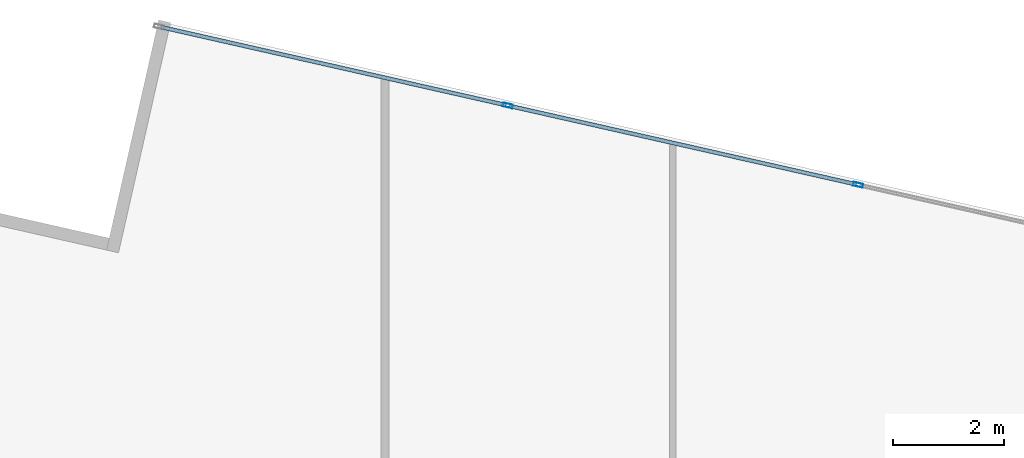
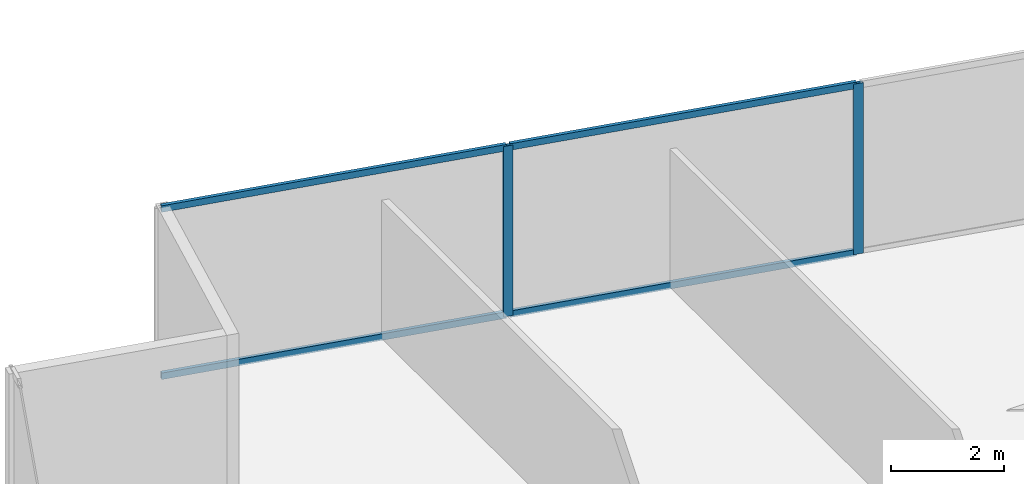
# One storey, part 18 of 26: 6 members, 1 element without a shape of its own.
"""IFC4 building model written with IfcOpenShell, lengths in metres."""

from ifc_helpers import new_model, si_unit, direction, frame, origin, origin_2d, place, context, subcontext, project, spatial, hollow_rectangle, extrude, source, transform, mapped, material, material_profile, profile_set, type_object, type_shapes, element, aggregate, save


model = new_model("IFC4")

# Units and contexts
model_context = context("Model", 3, precision=1e-05, world=origin(), true_north=direction((0.0, 1.0)))
body_context = subcontext(model_context, "Body", "Model", "MODEL_VIEW")
ifc_project = project(units=[si_unit("LENGTHUNIT", "METRE"), si_unit("AREAUNIT", "SQUARE_METRE"), si_unit("VOLUMEUNIT", "CUBIC_METRE"), si_unit("PLANEANGLEUNIT", "RADIAN"), si_unit("MASSUNIT", "GRAM", prefix="KILO")], contexts=[model_context])

# Site, building, storey
site_placement = place(None, origin())
site = spatial("IfcSite", under=ifc_project, at=site_placement, CompositionType="ELEMENT")
building_placement = place(site_placement, origin())
building = spatial("IfcBuilding", under=site, at=building_placement, Name="Krantzveldt Concourse Tower", CompositionType="ELEMENT")
storey_placement = place(building_placement, frame((0.0, 0.0, 90.050048828125)))
storey = spatial("IfcBuildingStorey", under=building, at=storey_placement, Name="L21", CompositionType="ELEMENT", Elevation=90.050048828125)

# Curtain wall, members
ifc_material = material(Name="Anodised aluminium 6063-T6", Category="aluminium")
curtain_wall_type = type_object("IfcCurtainWallType", Name="CW2", PredefinedType="USERDEFINED", material=ifc_material)
curtain_wall_placement = place(storey_placement, origin())
curtain_wall = element("IfcCurtainWall", 1, at=curtain_wall_placement, inside=storey, type_object=curtain_wall_type, Name="CW-L21-F10", ObjectType="UNITISED CURTAIN WALL", PredefinedType="USERDEFINED")
ifc_material_profile_1 = material_profile(ifc_material, hollow_rectangle(XDim=0.070068359375, YDim=0.179931640625, WallThickness=0.0048828125, at=origin_2d()), Name="Anodised aluminium 6063-T6", Category="aluminium")
ifc_profile_set_1 = profile_set([ifc_material_profile_1], Name="Anodised aluminium 6063-T6 - ALU-MULL 180x70x5")
member_type_1 = type_object("IfcMemberType", Name="CW-MUL-180", PredefinedType="MULLION", material=ifc_profile_set_1)
shared_shape_1 = source(origin(), body_context, "Body", "SweptSolid", [
    extrude(hollow_rectangle(XDim=0.070068359375, YDim=0.179931640625, WallThickness=0.0048828125, at=origin_2d()), origin(), (0.0, 0.0, 1.0), 3.669921875),
])
type_shapes(member_type_1, [shared_shape_1])
member_1_placement = place(storey_placement, frame((34.837158203125, 50.8623046875, 0.0), z_axis=(0.0, 0.0, 1.0), x_axis=(-0.220697434579, -0.975342320609, 0.0)))
member_1 = element("IfcMember", 2, at=member_1_placement, type_object=member_type_1, Name="CW-Z12 mullion 5", PredefinedType="MULLION", context=body_context, shape_type="MappedRepresentation", body=[
    mapped(shared_shape_1, transform((0.0, 0.0, 0.0), x_axis=(1.0, 0.0, 0.0), y_axis=(0.0, 1.0, 0.0), z_axis=(0.0, 0.0, 1.0), scale=1.0)),
])
member_2_placement = place(storey_placement, frame((28.530029296875, 52.28955078125, 0.0), z_axis=(0.0, 0.0, 1.0), x_axis=(-0.220697434579, -0.975342320609, 0.0)))
member_2 = element("IfcMember", 3, at=member_2_placement, type_object=member_type_1, Name="CW-Z12 mullion 6", PredefinedType="MULLION", context=body_context, shape_type="MappedRepresentation", body=[
    mapped(shared_shape_1, transform((0.0, 0.0, 0.0), x_axis=(1.0, 0.0, 0.0), y_axis=(0.0, 1.0, 0.0), z_axis=(0.0, 0.0, 1.0), scale=1.0)),
])
ifc_material_profile_2 = material_profile(ifc_material, hollow_rectangle(XDim=0.070068359375, YDim=0.139892578125, WallThickness=0.0048828125, at=origin_2d()), Name="Anodised aluminium 6063-T6", Category="aluminium")
ifc_profile_set_2 = profile_set([ifc_material_profile_2], Name="Anodised aluminium 6063-T6 - ALU-TRAN 140x70x5")
member_type_2 = type_object("IfcMemberType", Name="CW-TRN-150", PredefinedType="USERDEFINED", material=ifc_profile_set_2)
shared_shape_2 = source(origin(), body_context, "Body", "SweptSolid", [
    extrude(hollow_rectangle(XDim=0.070068359375, YDim=0.139892578125, WallThickness=0.0048828125, at=origin_2d()), origin(), (0.0, 0.0, 1.0), 6.396728515625),
])
member_3_placement = place(storey_placement, frame((34.80322265625, 50.8701171875, 0.034912109375), z_axis=(-0.975346478519, 0.220679058454, 0.0), x_axis=(-0.220679058454, -0.975346478519, 0.0)))
member_3 = element("IfcMember", 4, at=member_3_placement, type_object=member_type_2, Name="CW-Z12 transom 5.1", ObjectType="TRANSOM", PredefinedType="USERDEFINED", context=body_context, shape_type="MappedRepresentation", body=[
    mapped(shared_shape_2, transform((0.0, 0.0, 0.0), x_axis=(1.0, 0.0, 0.0), y_axis=(0.0, 1.0, 0.0), z_axis=(0.0, 0.0, 1.0), scale=1.0)),
])
member_4_placement = place(storey_placement, frame((34.80322265625, 50.8701171875, 3.635009765625), z_axis=(-0.975346478519, 0.220679058454, 0.0), x_axis=(-0.220679058454, -0.975346478519, 0.0)))
member_4 = element("IfcMember", 5, at=member_4_placement, type_object=member_type_2, Name="CW-Z12 transom 5.2", ObjectType="TRANSOM", PredefinedType="USERDEFINED", context=body_context, shape_type="MappedRepresentation", body=[
    mapped(shared_shape_2, transform((0.0, 0.0, 0.0), x_axis=(1.0, 0.0, 0.0), y_axis=(0.0, 1.0, 0.0), z_axis=(0.0, 0.0, 1.0), scale=1.0)),
])
shared_shape_3 = source(origin(), body_context, "Body", "SweptSolid", [
    extrude(hollow_rectangle(XDim=0.070068359375, YDim=0.139892578125, WallThickness=0.0048828125, at=origin_2d()), origin(), (0.0, 0.0, 1.0), 6.36181640625),
])
type_shapes(member_type_2, [shared_shape_2, shared_shape_3])
member_5_placement = place(storey_placement, frame((28.495849609375, 52.29736328125, 0.034912109375), z_axis=(-0.975340894424, 0.220703737314, 0.0), x_axis=(-0.220703737314, -0.975340894424, 0.0)))
member_5 = element("IfcMember", 6, at=member_5_placement, type_object=member_type_2, Name="CW-Z12 transom 6.1", ObjectType="TRANSOM", PredefinedType="USERDEFINED", context=body_context, shape_type="MappedRepresentation", body=[
    mapped(shared_shape_3, transform((0.0, 0.0, 0.0), x_axis=(1.0, 0.0, 0.0), y_axis=(0.0, 1.0, 0.0), z_axis=(0.0, 0.0, 1.0), scale=1.0)),
])
member_6_placement = place(storey_placement, frame((28.495849609375, 52.29736328125, 3.635009765625), z_axis=(-0.975340894424, 0.220703737314, 0.0), x_axis=(-0.220703737314, -0.975340894424, 0.0)))
member_6 = element("IfcMember", 7, at=member_6_placement, type_object=member_type_2, Name="CW-Z12 transom 6.2", ObjectType="TRANSOM", PredefinedType="USERDEFINED", context=body_context, shape_type="MappedRepresentation", body=[
    mapped(shared_shape_3, transform((0.0, 0.0, 0.0), x_axis=(1.0, 0.0, 0.0), y_axis=(0.0, 1.0, 0.0), z_axis=(0.0, 0.0, 1.0), scale=1.0)),
])
aggregate(curtain_wall, [member_1, member_2, member_3, member_4, member_5, member_6])

save(model, "model.ifc")
